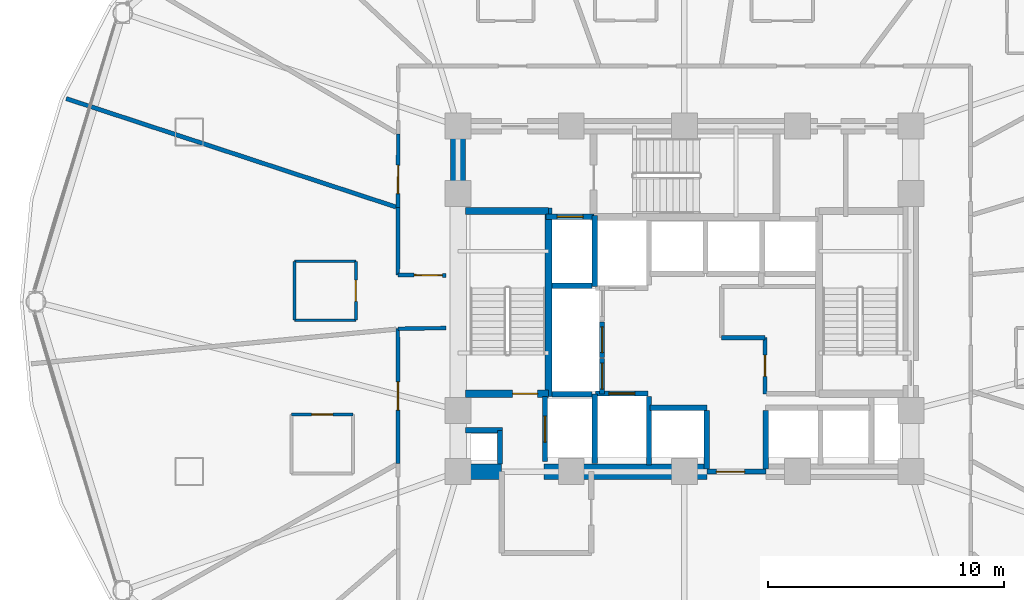
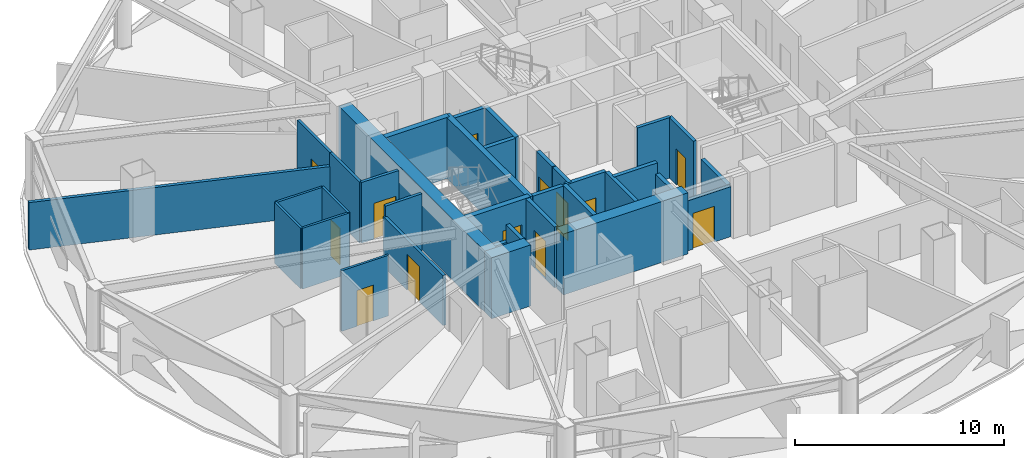
# One storey, part 22 of 30: 35 walls, 13 doors, 13 openings.
"""IFC4 building model written with IfcOpenShell, lengths in metres."""

from ifc_helpers import new_model, si_unit, direction, frame, frame_2d, origin, place, context, subcontext, project, spatial, rectangle, extrude, material, layer, layer_set, type_object, element, fill, save


model = new_model("IFC4")

# Units and contexts
model_context = context("Model", 3, precision=1e-05, world=origin(), true_north=direction((0.0, 1.0)))
body_context = subcontext(model_context, "Body", "Model", "MODEL_VIEW")
ifc_project = project(units=[si_unit("LENGTHUNIT", "METRE"), si_unit("AREAUNIT", "SQUARE_METRE"), si_unit("VOLUMEUNIT", "CUBIC_METRE"), si_unit("PLANEANGLEUNIT", "RADIAN"), si_unit("MASSUNIT", "GRAM", prefix="KILO")], contexts=[model_context])

# Site, building, storey
site_placement = place(None, origin())
site = spatial("IfcSite", under=ifc_project, at=site_placement, CompositionType="ELEMENT")
building_placement = place(site_placement, origin())
building = spatial("IfcBuilding", under=site, at=building_placement, Name="Vantalir Tower", CompositionType="ELEMENT")
storey_placement = place(building_placement, frame((0.0, 0.0, 83.25)))
storey = spatial("IfcBuildingStorey", under=building, at=storey_placement, Name="L20", CompositionType="ELEMENT", Elevation=83.25)

# Walls
ifc_material_1 = material(Name="Moisture-resistant en-suite partition", Category="gypsum")
ifc_layer_1 = layer(ifc_material_1, 0.125)
ifc_layer_set_1 = layer_set([ifc_layer_1], Name="Moisture-resistant en-suite partition")
wall_type_1 = type_object("IfcWallType", Name="WL-BATH-125", PredefinedType="PARTITIONING", material=ifc_layer_set_1)
for number, where, z_axis, x_axis, name in (
    (1, (14.964111328125, 24.218994140625, 0.0), (0.0, 0.0, 1.0), (1.0, 0.0, 0.0), "L20 En-suite 09 South Wall"),
    (2, (14.964111328125, 26.718994140625, 0.0), (0.0, 0.0, 1.0), (1.0, 0.0, 0.0), "L20 En-suite 09 North Wall"),
):
    element("IfcWall", number, at=place(storey_placement, frame(where, z_axis=z_axis, x_axis=x_axis)), inside=storey, type_object=wall_type_1, Name=name, PredefinedType="PARTITIONING", context=body_context, shape_type="SweptSolid", body=[
        extrude(rectangle(XDim=2.599853515625, YDim=0.125, at=frame_2d((1.2998046875, 0.0))), origin(), (0.0, 0.0, 1.0), 3.550048828125),
    ])
wall_1_placement = place(storey_placement, frame((14.964111328125, 24.218994140625, 0.0), z_axis=(0.0, 0.0, 1.0), x_axis=(0.0, 1.0, 0.0)))
element("IfcWall", 3, at=wall_1_placement, inside=storey, type_object=wall_type_1, Name="L20 En-suite 09 West Wall", PredefinedType="PARTITIONING", context=body_context, shape_type="SweptSolid", body=[
    extrude(rectangle(XDim=2.5, YDim=0.125, at=frame_2d((1.25, 0.0))), origin(), (0.0, 0.0, 1.0), 3.550048828125),
])

# Wall, opening, door
wall_2_placement = place(storey_placement, frame((17.56396484375, 24.218994140625, 0.0), z_axis=(0.0, 0.0, 1.0), x_axis=(0.0, 1.0, 0.0)))
wall_2 = element("IfcWall", 4, at=wall_2_placement, inside=storey, type_object=wall_type_1, Name="L20 En-suite 09 East Wall", PredefinedType="PARTITIONING", context=body_context, shape_type="SweptSolid", body=[
    extrude(rectangle(XDim=2.5, YDim=0.125, at=frame_2d((1.25, 0.0))), origin(), (0.0, 0.0, 1.0), 3.550048828125),
])
opening_1_placement = place(wall_2_placement, frame((0.800048828125, 0.0, 0.0)))
opening_1 = element("IfcOpeningElement", 5, at=opening_1_placement, cuts=wall_2, Name="Opening D-WC", PredefinedType="OPENING", context=body_context, shape_type="SweptSolid", body=[
    extrude(rectangle(XDim=0.89990234375, YDim=2.10009765625, at=frame_2d((0.449951171875, 1.050048828125))), frame((0.0, 0.072509765625, 0.0), z_axis=(0.0, -1.0, 0.0), x_axis=(1.0, 0.0, 0.0)), (0.0, 0.0, 1.0), 0.14501953125),
])
ifc_material_2 = material(Name="Moisture-resistant hardwood door", Category="wood")
door_type_1 = type_object("IfcDoorType", Name="DR-ENSUITE-900", OperationType="NOTDEFINED", PredefinedType="DOOR", material=ifc_material_2)
door_1_placement = place(opening_1_placement, origin())
door_1 = element("IfcDoor", 6, at=door_1_placement, inside=storey, type_object=door_type_1, Name="L20 En-suite 09 Door", OperationType="SINGLE_SWING_RIGHT", OverallHeight=2.10009765625, OverallWidth=0.89990234375, PredefinedType="DOOR", context=body_context, shape_type="SweptSolid", body=[
    extrude(rectangle(XDim=0.89990234375, YDim=2.10009765625, at=frame_2d((0.449951171875, 1.050048828125))), frame((0.0, 0.02490234375, 0.0), z_axis=(0.0, -1.0, 0.0), x_axis=(1.0, 0.0, 0.0)), (0.0, 0.0, 1.0), 0.050048828125),
])
fill(opening_1, door_1)

wall_3_placement = place(storey_placement, frame((14.837890625, 20.218994140625, 0.0), z_axis=(0.0, 0.0, 1.0), x_axis=(1.0, 0.0, 0.0)))
wall_3 = element("IfcWall", 7, at=wall_3_placement, inside=storey, type_object=wall_type_1, Name="L20 En-suite 10 North Wall", PredefinedType="PARTITIONING", context=body_context, shape_type="SweptSolid", body=[
    extrude(rectangle(XDim=2.60009765625, YDim=0.125, at=frame_2d((1.300048828125, 0.0))), origin(), (0.0, 0.0, 1.0), 3.550048828125),
])
opening_2_placement = place(wall_3_placement, frame((0.85009765625, 0.0, 0.0)))
opening_2 = element("IfcOpeningElement", 8, at=opening_2_placement, cuts=wall_3, Name="Opening D-WC", PredefinedType="OPENING", context=body_context, shape_type="SweptSolid", body=[
    extrude(rectangle(XDim=0.89990234375, YDim=2.10009765625, at=frame_2d((0.449951171875, 1.050048828125))), frame((0.0, 0.072509765625, 0.0), z_axis=(0.0, -1.0, 0.0), x_axis=(1.0, 0.0, 0.0)), (0.0, 0.0, 1.0), 0.14501953125),
])
door_2_placement = place(opening_2_placement, frame((0.89990234375, 0.0, 0.0), z_axis=(0.0, 0.0, 1.0), x_axis=(-1.0, 0.0, 0.0)))
door_2 = element("IfcDoor", 9, at=door_2_placement, inside=storey, type_object=door_type_1, Name="L20 En-suite 10 Door", OperationType="SINGLE_SWING_LEFT", OverallHeight=2.10009765625, OverallWidth=0.89990234375, PredefinedType="DOOR", context=body_context, shape_type="SweptSolid", body=[
    extrude(rectangle(XDim=0.89990234375, YDim=2.10009765625, at=frame_2d((0.449951171875, 1.050048828125))), frame((0.0, 0.02490234375, 0.0), z_axis=(0.0, -1.0, 0.0), x_axis=(1.0, 0.0, 0.0)), (0.0, 0.0, 1.0), 0.050048828125),
])
fill(opening_2, door_2)

# Walls
ifc_material_3 = material(Name="Concrete C60/75", Category="concrete")
ifc_layer_2 = layer(ifc_material_3, 0.64990234375)
ifc_layer_set_2 = layer_set([ifc_layer_2], Name="Concrete C60/75")
wall_type_2 = type_object("IfcWallType", Name="WL-CORE-650", PredefinedType="SHEAR", material=ifc_layer_set_2)
wall_4_placement = place(storey_placement, frame((21.574951171875, 17.800048828125, 0.0), z_axis=(0.0, 0.0, 1.0), x_axis=(1.0, 0.0, 0.0)))
element("IfcWall", 10, at=wall_4_placement, inside=storey, type_object=wall_type_2, Name="L20 Core Shear Wall South-West", PredefinedType="SHEAR", context=body_context, shape_type="SweptSolid", body=[
    extrude(rectangle(XDim=2.175048828125, YDim=0.64990234375, at=frame_2d((1.08740234375, 0.0))), origin(), (0.0, 0.0, 1.0), 3.570068359375),
])
wall_5_placement = place(storey_placement, frame((25.550048828125, 17.800048828125, 0.0), z_axis=(0.0, 0.0, 1.0), x_axis=(1.0, 0.0, 0.0)))
element("IfcWall", 11, at=wall_5_placement, inside=storey, type_object=wall_type_2, Name="L20 Core Shear Wall South-Mid", PredefinedType="SHEAR", context=body_context, shape_type="SweptSolid", body=[
    extrude(rectangle(XDim=6.89990234375, YDim=0.64990234375, at=frame_2d((3.449951171875, 0.0))), origin(), (0.0, 0.0, 1.0), 3.570068359375),
])
wall_6_placement = place(storey_placement, frame((21.89990234375, 18.125, 0.0), z_axis=(0.0, 0.0, 1.0), x_axis=(0.0, 1.0, 0.0)))
element("IfcWall", 12, at=wall_6_placement, inside=storey, type_object=wall_type_2, Name="L20 Core Shear Wall West", PredefinedType="SHEAR", context=body_context, shape_type="SweptSolid", body=[
    extrude(rectangle(XDim=14.0, YDim=0.64990234375, at=frame_2d((7.0, 0.0))), origin(), (0.0, 0.0, 1.0), 3.570068359375),
])

# Wall, opening, door
ifc_material_4 = material(Name="Fire-rated hotel corridor acoustic partition", Category="gypsum")
ifc_layer_3 = layer(ifc_material_4, 0.159912109375)
ifc_layer_set_3 = layer_set([ifc_layer_3], Name="Fire-rated hotel corridor acoustic partition")
wall_type_3 = type_object("IfcWallType", Name="WL-CORR-160", PredefinedType="PARTITIONING", material=ifc_layer_set_3)
wall_7_placement = place(storey_placement, frame((21.39501953125, 26.117919921875, 0.0), z_axis=(0.0, 0.0, 1.0), x_axis=(-0.999930307049, 0.011805975003, 0.0)))
wall_7 = element("IfcWall", 13, at=wall_7_placement, inside=storey, type_object=wall_type_3, Name="L20 Corridor Partition 01", PredefinedType="PARTITIONING", context=body_context, shape_type="SweptSolid", body=[
    extrude(rectangle(XDim=2.04736328125, YDim=0.159912109375, at=frame_2d((1.023681640625, 0.0))), origin(), (0.0, 0.0, 1.0), 3.550048828125),
])
opening_3_placement = place(wall_7_placement, frame((0.159912109375, 0.0, 0.0)))
opening_3 = element("IfcOpeningElement", 14, at=opening_3_placement, cuts=wall_7, Name="Opening D-STE", PredefinedType="OPENING", context=body_context, shape_type="SweptSolid", body=[
    extrude(rectangle(XDim=1.199951171875, YDim=2.10009765625, at=frame_2d((0.60009765625, 1.050048828125))), frame((0.0, 0.08984375, 0.0), z_axis=(0.0, -1.0, 0.0), x_axis=(1.0, 0.0, 0.0)), (0.0, 0.0, 1.0), 0.179931640625),
])
ifc_material_5 = material(Name="Solid-core teak veneer suite entrance door", Category="wood")
door_type_2 = type_object("IfcDoorType", Name="DR-SUITE-ENTRY-1200", OperationType="NOTDEFINED", PredefinedType="DOOR", material=ifc_material_5)
door_3_placement = place(opening_3_placement, origin())
door_3 = element("IfcDoor", 15, at=door_3_placement, inside=storey, type_object=door_type_2, Name="L20 Corner Panorama Hotel Suite 09 Door", OperationType="SINGLE_SWING_RIGHT", OverallHeight=2.10009765625, OverallWidth=1.199951171875, PredefinedType="DOOR", context=body_context, shape_type="SweptSolid", body=[
    extrude(rectangle(XDim=1.199951171875, YDim=2.10009765625, at=frame_2d((0.60009765625, 1.050048828125))), frame((0.0, 0.02490234375, 0.0), z_axis=(0.0, -1.0, 0.0), x_axis=(1.0, 0.0, 0.0)), (0.0, 0.0, 1.0), 0.050048828125),
])
fill(opening_3, door_3)

# Wall
wall_8_placement = place(storey_placement, frame((19.347900390625, 26.14208984375, 0.0), z_axis=(0.0, 0.0, 1.0), x_axis=(0.002483506942, 0.999996916092, 0.0)))
element("IfcWall", 16, at=wall_8_placement, inside=storey, type_object=wall_type_3, Name="L20 Corridor Partition 02", PredefinedType="PARTITIONING", context=body_context, shape_type="SweptSolid", body=[
    extrude(rectangle(XDim=2.850830078125, YDim=0.159912109375, at=frame_2d((1.42529296875, 0.0))), origin(), (0.0, 0.0, 1.0), 3.550048828125),
])

# Wall, opening, door
wall_9_placement = place(storey_placement, frame((19.35498046875, 28.992919921875, 0.0), z_axis=(0.0, 0.0, 1.0), x_axis=(0.002264911404, 0.999997435085, 0.0)))
wall_9 = element("IfcWall", 17, at=wall_9_placement, inside=storey, type_object=wall_type_3, Name="L20 Corridor Partition 03", PredefinedType="PARTITIONING", context=body_context, shape_type="SweptSolid", body=[
    extrude(rectangle(XDim=3.1259765625, YDim=0.159912109375, at=frame_2d((1.56298828125, 0.0))), origin(), (0.0, 0.0, 1.0), 3.550048828125),
])
opening_4_placement = place(wall_9_placement, frame((0.597900390625, 0.0, 0.0)))
opening_4 = element("IfcOpeningElement", 18, at=opening_4_placement, cuts=wall_9, Name="Opening D-STE", PredefinedType="OPENING", context=body_context, shape_type="SweptSolid", body=[
    extrude(rectangle(XDim=1.199951171875, YDim=2.10009765625, at=frame_2d((0.60009765625, 1.050048828125))), frame((0.0, 0.08984375, 0.0), z_axis=(0.0, -1.0, 0.0), x_axis=(1.0, 0.0, 0.0)), (0.0, 0.0, 1.0), 0.179931640625),
])
door_4_placement = place(opening_4_placement, origin())
door_4 = element("IfcDoor", 19, at=door_4_placement, inside=storey, type_object=door_type_2, Name="L20 Executive Sky Boardroom 08 Door", OperationType="SINGLE_SWING_LEFT", OverallHeight=2.10009765625, OverallWidth=1.199951171875, PredefinedType="DOOR", context=body_context, shape_type="SweptSolid", body=[
    extrude(rectangle(XDim=1.199951171875, YDim=2.10009765625, at=frame_2d((0.60009765625, 1.050048828125))), frame((0.0, 0.02490234375, 0.0), z_axis=(0.0, -1.0, 0.0), x_axis=(1.0, 0.0, 0.0)), (0.0, 0.0, 1.0), 0.050048828125),
])
fill(opening_4, door_4)

wall_10_placement = place(storey_placement, frame((19.35791015625, 18.14697265625, 0.0), z_axis=(0.0, 0.0, 1.0), x_axis=(-0.001752733286, 0.999998463962, 0.0)))
wall_10 = element("IfcWall", 20, at=wall_10_placement, inside=storey, type_object=wall_type_3, Name="L20 Corridor Partition 24", PredefinedType="PARTITIONING", context=body_context, shape_type="SweptSolid", body=[
    extrude(rectangle(XDim=5.7109375, YDim=0.159912109375, at=frame_2d((2.85546875, 0.0))), origin(), (0.0, 0.0, 1.0), 2.927978515625),
])
opening_5_placement = place(wall_10_placement, frame((2.256103515625, 0.0, 0.0)))
opening_5 = element("IfcOpeningElement", 21, at=opening_5_placement, cuts=wall_10, Name="Opening D-STE", PredefinedType="OPENING", context=body_context, shape_type="SweptSolid", body=[
    extrude(rectangle(XDim=1.199951171875, YDim=2.10009765625, at=frame_2d((0.60009765625, 1.050048828125))), frame((0.0, 0.08984375, 0.0), z_axis=(0.0, -1.0, 0.0), x_axis=(1.0, 0.0, 0.0)), (0.0, 0.0, 1.0), 0.179931640625),
])
door_5_placement = place(opening_5_placement, origin())
door_5 = element("IfcDoor", 22, at=door_5_placement, inside=storey, type_object=door_type_2, Name="L20 Executive Club Hotel Suite 10 Door", OperationType="SINGLE_SWING_LEFT", OverallHeight=2.10009765625, OverallWidth=1.199951171875, PredefinedType="DOOR", context=body_context, shape_type="SweptSolid", body=[
    extrude(rectangle(XDim=1.199951171875, YDim=2.10009765625, at=frame_2d((0.60009765625, 1.050048828125))), frame((0.0, 0.02490234375, 0.0), z_axis=(0.0, -1.0, 0.0), x_axis=(1.0, 0.0, 0.0)), (0.0, 0.0, 1.0), 0.050048828125),
])
fill(opening_5, door_5)

# Walls
wall_11_placement = place(storey_placement, frame((19.347900390625, 23.85791015625, 0.0), z_axis=(0.0, 0.0, 1.0), x_axis=(0.999899308643, 0.014190580528, 0.0)))
element("IfcWall", 23, at=wall_11_placement, inside=storey, type_object=wall_type_3, Name="L20 Corridor Partition 25", PredefinedType="PARTITIONING", context=body_context, shape_type="SweptSolid", body=[
    extrude(rectangle(XDim=2.04736328125, YDim=0.159912109375, at=frame_2d((1.023681640625, 0.0))), origin(), (0.0, 0.0, 1.0), 3.550048828125),
])
ifc_material_6 = material(Name="Concrete blockwork with fireboard lining", Category="masonry")
ifc_layer_4 = layer(ifc_material_6, 0.219970703125)
ifc_layer_set_4 = layer_set([ifc_layer_4], Name="Concrete blockwork with fireboard lining")
wall_type_4 = type_object("IfcWallType", Name="WL-FFL-220", PredefinedType="PARTITIONING", material=ifc_layer_set_4)
wall_12_placement = place(storey_placement, frame((30.0, 18.080078125, 0.0), z_axis=(0.0, 0.0, 1.0), x_axis=(0.0, 1.0, 0.0)))
element("IfcWall", 24, at=wall_12_placement, inside=storey, type_object=wall_type_4, Name="L20 Service Lift SV1 East Shaft Wall", PredefinedType="PARTITIONING", context=body_context, shape_type="SweptSolid", body=[
    extrude(rectangle(XDim=2.89990234375, YDim=0.219970703125, at=frame_2d((1.449951171875, 0.0))), origin(), (0.0, 0.0, 1.0), 3.544921875),
])
for number, where, z_axis, x_axis, name in (
    (25, (32.449951171875, 17.919921875, 0.0), (0.0, 0.0, 1.0), (0.0, 1.0, 0.0), "L20 Shuttle Lift PL-X1 East Shaft Cheek"),
    (26, (34.949951171875, 17.919921875, 0.0), (0.0, 0.0, 1.0), (0.0, 1.0, 0.0), "L20 Shuttle Lift PL-X3 West Shaft Cheek"),
):
    element("IfcWall", number, at=place(storey_placement, frame(where, z_axis=z_axis, x_axis=x_axis)), inside=storey, type_object=wall_type_4, Name=name, PredefinedType="PARTITIONING", context=body_context, shape_type="SweptSolid", body=[
        extrude(rectangle(XDim=2.469970703125, YDim=0.219970703125, at=frame_2d((1.23486328125, 0.0))), origin(), (0.0, 0.0, 1.0), 2.927978515625),
    ])

# Wall, opening, door
wall_13_placement = place(storey_placement, frame((32.449951171875, 17.800048828125, 0.0), z_axis=(0.0, 0.0, 1.0), x_axis=(1.0, 0.0, 0.0)))
wall_13 = element("IfcWall", 27, at=wall_13_placement, inside=storey, type_object=wall_type_4, Name="L20 Passenger Lift Lobby South Wall", PredefinedType="PARTITIONING", context=body_context, shape_type="SweptSolid", body=[
    extrude(rectangle(XDim=2.5, YDim=0.219970703125, at=frame_2d((1.25, 0.0))), origin(), (0.0, 0.0, 1.0), 2.927978515625),
])
opening_6_placement = place(wall_13_placement, frame((0.39990234375, 0.0, 0.0)))
opening_6 = element("IfcOpeningElement", 28, at=opening_6_placement, cuts=wall_13, Name="Opening D-STE", PredefinedType="OPENING", context=body_context, shape_type="SweptSolid", body=[
    extrude(rectangle(XDim=1.199951171875, YDim=2.10009765625, at=frame_2d((0.60009765625, 1.050048828125))), frame((0.0, 0.119873046875, 0.0), z_axis=(0.0, -1.0, 0.0), x_axis=(1.0, 0.0, 0.0)), (0.0, 0.0, 1.0), 0.239990234375),
])
door_6_placement = place(opening_6_placement, origin())
door_6 = element("IfcDoor", 29, at=door_6_placement, inside=storey, type_object=door_type_2, Name="L20 Passenger Lift Lobby Concourse Door", OperationType="SINGLE_SWING_LEFT", OverallHeight=2.10009765625, OverallWidth=1.199951171875, PredefinedType="DOOR", context=body_context, shape_type="SweptSolid", body=[
    extrude(rectangle(XDim=1.199951171875, YDim=2.10009765625, at=frame_2d((0.60009765625, 1.050048828125))), frame((0.0, 0.02490234375, 0.0), z_axis=(0.0, -1.0, 0.0), x_axis=(1.0, 0.0, 0.0)), (0.0, 0.0, 1.0), 0.050048828125),
])
fill(opening_6, door_6)

# Walls
wall_14_placement = place(storey_placement, frame((23.679931640625, 18.125, 0.0), z_axis=(0.0, 0.0, 1.0), x_axis=(0.0, 1.0, 0.0)))
element("IfcWall", 30, at=wall_14_placement, inside=storey, type_object=wall_type_4, Name="L20 West MEP Riser Wall E", PredefinedType="PARTITIONING", context=body_context, shape_type="SweptSolid", body=[
    extrude(rectangle(XDim=1.425048828125, YDim=0.219970703125, at=frame_2d((0.71240234375, 0.0))), origin(), (0.0, 0.0, 1.0), 3.550048828125),
])
wall_15_placement = place(storey_placement, frame((22.22509765625, 19.550048828125, 0.0), z_axis=(0.0, 0.0, 1.0), x_axis=(1.0, 0.0, 0.0)))
element("IfcWall", 31, at=wall_15_placement, inside=storey, type_object=wall_type_4, Name="L20 West MEP Riser Wall N", PredefinedType="PARTITIONING", context=body_context, shape_type="SweptSolid", body=[
    extrude(rectangle(XDim=1.56494140625, YDim=0.219970703125, at=frame_2d((0.782470703125, 0.0))), origin(), (0.0, 0.0, 1.0), 2.594970703125),
])

# Wall, opening, door
wall_16_placement = place(storey_placement, frame((25.590087890625, 18.219970703125, 0.0), z_axis=(0.0, 0.0, 1.0), x_axis=(0.0, 1.0, 0.0)))
wall_16 = element("IfcWall", 32, at=wall_16_placement, inside=storey, type_object=wall_type_4, Name="L20 Lift FL1 Shaft Front Wall", PredefinedType="PARTITIONING", context=body_context, shape_type="SweptSolid", body=[
    extrude(rectangle(XDim=2.760009765625, YDim=0.219970703125, at=frame_2d((1.3798828125, 0.0))), origin(), (0.0, 0.0, 1.0), 3.550048828125),
])
opening_7_placement = place(wall_16_placement, frame((0.830078125, 0.0, 0.0)))
opening_7 = element("IfcOpeningElement", 33, at=opening_7_placement, cuts=wall_16, Name="Opening LD-FL1", PredefinedType="OPENING", context=body_context, shape_type="SweptSolid", body=[
    extrude(rectangle(XDim=1.10009765625, YDim=2.199951171875, at=frame_2d((0.550048828125, 1.10009765625))), frame((0.0, 0.119873046875, 0.0), z_axis=(0.0, -1.0, 0.0), x_axis=(1.0, 0.0, 0.0)), (0.0, 0.0, 1.0), 0.239990234375),
])
ifc_material_7 = material(Name="Brushed stainless-steel sliding lift landing door", Category="steel")
door_type_3 = type_object("IfcDoorType", Name="DR-LIFT-LANDING-1100", OperationType="DOUBLE_DOOR_SLIDING", PredefinedType="DOOR", material=ifc_material_7)
door_7_placement = place(opening_7_placement, origin())
door_7 = element("IfcDoor", 34, at=door_7_placement, inside=storey, type_object=door_type_3, Name="L20 Lift Landing Door FL1", OperationType="DOUBLE_DOOR_SLIDING", OverallHeight=2.199951171875, OverallWidth=1.10009765625, PredefinedType="DOOR", context=body_context, shape_type="SweptSolid", body=[
    extrude(rectangle(XDim=1.10009765625, YDim=2.199951171875, at=frame_2d((0.550048828125, 1.10009765625))), frame((0.0, 0.02490234375, 0.0), z_axis=(0.0, -1.0, 0.0), x_axis=(1.0, 0.0, 0.0)), (0.0, 0.0, 1.0), 0.050048828125),
])
fill(opening_7, door_7)

wall_17_placement = place(storey_placement, frame((25.639892578125, 28.610107421875, 0.0), z_axis=(0.0, 0.0, 1.0), x_axis=(1.0, 0.0, 0.0)))
wall_17 = element("IfcWall", 35, at=wall_17_placement, inside=storey, type_object=wall_type_4, Name="L20 Lift FL2 Shaft Front Wall", PredefinedType="PARTITIONING", context=body_context, shape_type="SweptSolid", body=[
    extrude(rectangle(XDim=2.02001953125, YDim=0.219970703125, at=frame_2d((1.010009765625, 0.0))), origin(), (0.0, 0.0, 1.0), 3.550048828125),
])
opening_8_placement = place(wall_17_placement, frame((0.4599609375, 0.0, 0.0)))
opening_8 = element("IfcOpeningElement", 36, at=opening_8_placement, cuts=wall_17, Name="Opening LD-FL2", PredefinedType="OPENING", context=body_context, shape_type="SweptSolid", body=[
    extrude(rectangle(XDim=1.10009765625, YDim=2.199951171875, at=frame_2d((0.550048828125, 1.10009765625))), frame((0.0, 0.119873046875, 0.0), z_axis=(0.0, -1.0, 0.0), x_axis=(1.0, 0.0, 0.0)), (0.0, 0.0, 1.0), 0.239990234375),
])
door_8_placement = place(opening_8_placement, origin())
door_8 = element("IfcDoor", 37, at=door_8_placement, inside=storey, type_object=door_type_3, Name="L20 Lift Landing Door FL2", OperationType="DOUBLE_DOOR_SLIDING", OverallHeight=2.199951171875, OverallWidth=1.10009765625, PredefinedType="DOOR", context=body_context, shape_type="SweptSolid", body=[
    extrude(rectangle(XDim=1.10009765625, YDim=2.199951171875, at=frame_2d((0.550048828125, 1.10009765625))), frame((0.0, 0.02490234375, 0.0), z_axis=(0.0, -1.0, 0.0), x_axis=(1.0, 0.0, 0.0)), (0.0, 0.0, 1.0), 0.050048828125),
])
fill(opening_8, door_8)

wall_18_placement = place(storey_placement, frame((27.739990234375, 21.110107421875, 0.0), z_axis=(0.0, 0.0, 1.0), x_axis=(1.0, 0.0, 0.0)))
wall_18 = element("IfcWall", 38, at=wall_18_placement, inside=storey, type_object=wall_type_4, Name="L20 Lift SV1 Shaft Front Wall", PredefinedType="PARTITIONING", context=body_context, shape_type="SweptSolid", body=[
    extrude(rectangle(XDim=2.219970703125, YDim=0.219970703125, at=frame_2d((1.10986328125, 0.0))), origin(), (0.0, 0.0, 1.0), 3.550048828125),
])
opening_9_placement = place(wall_18_placement, frame((0.56005859375, 0.0, 0.0)))
opening_9 = element("IfcOpeningElement", 39, at=opening_9_placement, cuts=wall_18, Name="Opening LD-SV1", PredefinedType="OPENING", context=body_context, shape_type="SweptSolid", body=[
    extrude(rectangle(XDim=1.10009765625, YDim=2.199951171875, at=frame_2d((0.550048828125, 1.10009765625))), frame((0.0, 0.119873046875, 0.0), z_axis=(0.0, -1.0, 0.0), x_axis=(1.0, 0.0, 0.0)), (0.0, 0.0, 1.0), 0.239990234375),
])
door_9_placement = place(opening_9_placement, origin())
door_9 = element("IfcDoor", 40, at=door_9_placement, inside=storey, type_object=door_type_3, Name="L20 Lift Landing Door SV1", OperationType="DOUBLE_DOOR_SLIDING", OverallHeight=2.199951171875, OverallWidth=1.10009765625, PredefinedType="DOOR", context=body_context, shape_type="SweptSolid", body=[
    extrude(rectangle(XDim=1.10009765625, YDim=2.199951171875, at=frame_2d((0.550048828125, 1.10009765625))), frame((0.0, 0.02490234375, 0.0), z_axis=(0.0, -1.0, 0.0), x_axis=(1.0, 0.0, 0.0)), (0.0, 0.0, 1.0), 0.050048828125),
])
fill(opening_9, door_9)

# Wall
wall_19_placement = place(storey_placement, frame((30.0400390625, 20.510009765625, 0.0), z_axis=(0.0, 0.0, 1.0), x_axis=(1.0, 0.0, 0.0)))
element("IfcWall", 41, at=wall_19_placement, inside=storey, type_object=wall_type_4, Name="L20 Lift PL-X1 Shaft Front Wall", PredefinedType="PARTITIONING", context=body_context, shape_type="SweptSolid", body=[
    extrude(rectangle(XDim=2.419921875, YDim=0.219970703125, at=frame_2d((1.2099609375, 0.0))), origin(), (0.0, 0.0, 1.0), 3.550048828125),
])

# Wall, opening, door
wall_20_placement = place(storey_placement, frame((28.010009765625, 21.10009765625, 0.0), z_axis=(0.0, 0.0, 1.0), x_axis=(0.0, 1.0, 0.0)))
wall_20 = element("IfcWall", 42, at=wall_20_placement, inside=storey, type_object=wall_type_4, Name="L20 Lift PL-L1 Shaft Front Wall", PredefinedType="PARTITIONING", context=body_context, shape_type="SweptSolid", body=[
    extrude(rectangle(XDim=1.5, YDim=0.219970703125, at=frame_2d((0.75, 0.0))), origin(), (0.0, 0.0, 1.0), 3.550048828125),
])
opening_10_placement = place(wall_20_placement, frame((0.199951171875, 0.0, 0.0)))
opening_10 = element("IfcOpeningElement", 43, at=opening_10_placement, cuts=wall_20, Name="Opening LD-PL-L1", PredefinedType="OPENING", context=body_context, shape_type="SweptSolid", body=[
    extrude(rectangle(XDim=1.10009765625, YDim=2.199951171875, at=frame_2d((0.550048828125, 1.10009765625))), frame((0.0, 0.119873046875, 0.0), z_axis=(0.0, -1.0, 0.0), x_axis=(1.0, 0.0, 0.0)), (0.0, 0.0, 1.0), 0.239990234375),
])
door_10_placement = place(opening_10_placement, frame((1.10009765625, 0.0, 0.0), z_axis=(0.0, 0.0, 1.0), x_axis=(-1.0, 0.0, 0.0)))
door_10 = element("IfcDoor", 44, at=door_10_placement, inside=storey, type_object=door_type_3, Name="L20 Lift Landing Door PL-L1", OperationType="DOUBLE_DOOR_SLIDING", OverallHeight=2.199951171875, OverallWidth=1.10009765625, PredefinedType="DOOR", context=body_context, shape_type="SweptSolid", body=[
    extrude(rectangle(XDim=1.10009765625, YDim=2.199951171875, at=frame_2d((0.550048828125, 1.10009765625))), frame((0.0, 0.02490234375, 0.0), z_axis=(0.0, -1.0, 0.0), x_axis=(1.0, 0.0, 0.0)), (0.0, 0.0, 1.0), 0.050048828125),
])
fill(opening_10, door_10)

wall_21_placement = place(storey_placement, frame((28.010009765625, 22.639892578125, 0.0), z_axis=(0.0, 0.0, 1.0), x_axis=(0.0, 1.0, 0.0)))
wall_21 = element("IfcWall", 45, at=wall_21_placement, inside=storey, type_object=wall_type_4, Name="L20 Lift PL-L2 Shaft Front Wall", PredefinedType="PARTITIONING", context=body_context, shape_type="SweptSolid", body=[
    extrude(rectangle(XDim=1.5, YDim=0.219970703125, at=frame_2d((0.75, 0.0))), origin(), (0.0, 0.0, 1.0), 3.550048828125),
])
opening_11_placement = place(wall_21_placement, frame((0.199951171875, 0.0, 0.0)))
opening_11 = element("IfcOpeningElement", 46, at=opening_11_placement, cuts=wall_21, Name="Opening LD-PL-L2", PredefinedType="OPENING", context=body_context, shape_type="SweptSolid", body=[
    extrude(rectangle(XDim=1.10009765625, YDim=2.199951171875, at=frame_2d((0.550048828125, 1.10009765625))), frame((0.0, 0.119873046875, 0.0), z_axis=(0.0, -1.0, 0.0), x_axis=(1.0, 0.0, 0.0)), (0.0, 0.0, 1.0), 0.239990234375),
])
door_11_placement = place(opening_11_placement, frame((1.10009765625, 0.0, 0.0), z_axis=(0.0, 0.0, 1.0), x_axis=(-1.0, 0.0, 0.0)))
door_11 = element("IfcDoor", 47, at=door_11_placement, inside=storey, type_object=door_type_3, Name="L20 Lift Landing Door PL-L2", OperationType="DOUBLE_DOOR_SLIDING", OverallHeight=2.199951171875, OverallWidth=1.10009765625, PredefinedType="DOOR", context=body_context, shape_type="SweptSolid", body=[
    extrude(rectangle(XDim=1.10009765625, YDim=2.199951171875, at=frame_2d((0.550048828125, 1.10009765625))), frame((0.0, 0.02490234375, 0.0), z_axis=(0.0, -1.0, 0.0), x_axis=(1.0, 0.0, 0.0)), (0.0, 0.0, 1.0), 0.050048828125),
])
fill(opening_11, door_11)

# Walls
wall_22_placement = place(storey_placement, frame((27.699951171875, 18.14990234375, 0.0), z_axis=(0.0, 0.0, 1.0), x_axis=(0.0, 1.0, 0.0)))
element("IfcWall", 48, at=wall_22_placement, inside=storey, type_object=wall_type_4, Name="L20 Fire Lift FL1 Dividing Wall", PredefinedType="PARTITIONING", context=body_context, shape_type="SweptSolid", body=[
    extrude(rectangle(XDim=2.9501953125, YDim=0.219970703125, at=frame_2d((1.47509765625, 0.0))), origin(), (0.0, 0.0, 1.0), 3.550048828125),
])
wall_23_placement = place(storey_placement, frame((27.699951171875, 25.64990234375, 0.0), z_axis=(0.0, 0.0, 1.0), x_axis=(0.0, 1.0, 0.0)))
element("IfcWall", 49, at=wall_23_placement, inside=storey, type_object=wall_type_4, Name="L20 Fire Lift FL2 Dividing Wall", PredefinedType="PARTITIONING", context=body_context, shape_type="SweptSolid", body=[
    extrude(rectangle(XDim=3.0, YDim=0.219970703125, at=frame_2d((1.5, 0.0))), origin(), (0.0, 0.0, 1.0), 3.550048828125),
])
for number, where, z_axis, x_axis, name in (
    (50, (25.8798828125, 21.080078125, 0.0), (0.0, 0.0, 1.0), (1.0, 0.0, 0.0), "L20 Low-Rise Bank South Wall"),
    (51, (25.8798828125, 25.679931640625, 0.0), (0.0, 0.0, 1.0), (1.0, 0.0, 0.0), "L20 Low-Rise Bank North Wall"),
):
    element("IfcWall", number, at=place(storey_placement, frame(where, z_axis=z_axis, x_axis=x_axis)), inside=storey, type_object=wall_type_4, Name=name, PredefinedType="PARTITIONING", context=body_context, shape_type="SweptSolid", body=[
        extrude(rectangle(XDim=1.7001953125, YDim=0.219970703125, at=frame_2d((0.85009765625, 0.0))), origin(), (0.0, 0.0, 1.0), 3.550048828125),
    ])
ifc_material_8 = material(Name="Twin-stud acoustic fire-rated gypsum partition", Category="gypsum")
ifc_layer_5 = layer(ifc_material_8, 0.179931640625)
ifc_layer_set_5 = layer_set([ifc_layer_5], Name="Twin-stud acoustic fire-rated gypsum partition")
wall_type_5 = type_object("IfcWallType", Name="WL-GUEST-180", PredefinedType="PARTITIONING", material=ifc_layer_set_5)
wall_24_placement = place(storey_placement, frame((33.080078125, 23.47998046875, 0.0), z_axis=(0.0, 0.0, 1.0), x_axis=(1.0, 0.0, 0.0)))
element("IfcWall", 52, at=wall_24_placement, inside=storey, type_object=wall_type_5, Name="L20 East Core Alcove South Wall", PredefinedType="PARTITIONING", context=body_context, shape_type="SweptSolid", body=[
    extrude(rectangle(XDim=1.83984375, YDim=0.179931640625, at=frame_2d((0.919921875, 0.0))), origin(), (0.0, 0.0, 1.0), 3.550048828125),
])

# Wall, opening, door
wall_25_placement = place(storey_placement, frame((34.919921875, 21.10009765625, 0.0), z_axis=(0.0, 0.0, 1.0), x_axis=(0.0, 1.0, 0.0)))
wall_25 = element("IfcWall", 53, at=wall_25_placement, inside=storey, type_object=wall_type_5, Name="L20 East Core Lower West Wall", PredefinedType="PARTITIONING", context=body_context, shape_type="SweptSolid", body=[
    extrude(rectangle(XDim=2.3798828125, YDim=0.179931640625, at=frame_2d((1.18994140625, 0.0))), origin(), (0.0, 0.0, 1.0), 3.550048828125),
])
opening_12_placement = place(wall_25_placement, frame((0.739990234375, 0.0, 0.0)))
opening_12 = element("IfcOpeningElement", 54, at=opening_12_placement, cuts=wall_25, Name="Opening D-CR", PredefinedType="OPENING", context=body_context, shape_type="SweptSolid", body=[
    extrude(rectangle(XDim=0.89990234375, YDim=2.10009765625, at=frame_2d((0.449951171875, 1.050048828125))), frame((0.0, 0.099853515625, 0.0), z_axis=(0.0, -1.0, 0.0), x_axis=(1.0, 0.0, 0.0)), (0.0, 0.0, 1.0), 0.199951171875),
])
ifc_material_9 = material(Name="Fire-rated steel core service door", Category="steel")
door_type_4 = type_object("IfcDoorType", Name="DR-CORE-SERV-900", OperationType="NOTDEFINED", PredefinedType="DOOR", material=ifc_material_9)
door_12_placement = place(opening_12_placement, frame((0.89990234375, 0.0, 0.0), z_axis=(0.0, 0.0, 1.0), x_axis=(-1.0, 0.0, 0.0)))
door_12 = element("IfcDoor", 55, at=door_12_placement, inside=storey, type_object=door_type_4, Name="L20 Core Telecoms Door", OperationType="SINGLE_SWING_LEFT", OverallHeight=2.10009765625, OverallWidth=0.89990234375, PredefinedType="DOOR", context=body_context, shape_type="SweptSolid", body=[
    extrude(rectangle(XDim=0.89990234375, YDim=2.10009765625, at=frame_2d((0.449951171875, 1.050048828125))), frame((0.0, 0.02490234375, 0.0), z_axis=(0.0, -1.0, 0.0), x_axis=(1.0, 0.0, 0.0)), (0.0, 0.0, 1.0), 0.050048828125),
])
fill(opening_12, door_12)

# Wall
wall_26_placement = place(storey_placement, frame((19.27197265625, 29.02001953125, 0.0), z_axis=(0.0, 0.0, 1.0), x_axis=(-0.949981656655, 0.312305702829, 0.0)))
element("IfcWall", 56, at=wall_26_placement, inside=storey, type_object=wall_type_5, Name="L20 Radial Suite Partition 09", PredefinedType="PARTITIONING", context=body_context, shape_type="SweptSolid", body=[
    extrude(rectangle(XDim=14.7255859375, YDim=0.179931640625, at=frame_2d((7.36279296875, 0.0))), origin(), (0.0, 0.0, 1.0), 2.77490234375),
])

# Wall, opening, door
ifc_material_10 = material(Name="Concrete C50/60", Category="concrete")
ifc_layer_6 = layer(ifc_material_10, 0.300048828125)
ifc_layer_set_6 = layer_set([ifc_layer_6], Name="Concrete C50/60")
wall_type_6 = type_object("IfcWallType", Name="WL-STAIR-300", PredefinedType="SHEAR", material=ifc_layer_set_6)
wall_27_placement = place(storey_placement, frame((22.22509765625, 21.10009765625, 0.0), z_axis=(0.0, 0.0, 1.0), x_axis=(1.0, 0.0, 0.0)))
wall_27 = element("IfcWall", 57, at=wall_27_placement, inside=storey, type_object=wall_type_6, Name="L20 Stair ST1 South Wall", PredefinedType="SHEAR", context=body_context, shape_type="SweptSolid", body=[
    extrude(rectangle(XDim=3.514892578125, YDim=0.300048828125, at=frame_2d((1.75732421875, 0.0))), origin(), (0.0, 0.0, 1.0), 3.570068359375),
])
opening_13_placement = place(wall_27_placement, frame((1.9951171875, 0.0, 0.0)))
opening_13 = element("IfcOpeningElement", 58, at=opening_13_placement, cuts=wall_27, Name="Opening D-ST", PredefinedType="OPENING", context=body_context, shape_type="SweptSolid", body=[
    extrude(rectangle(XDim=1.050048828125, YDim=2.10009765625, at=frame_2d((0.52490234375, 1.050048828125))), frame((0.0, 0.159912109375, 0.0), z_axis=(0.0, -1.0, 0.0), x_axis=(1.0, 0.0, 0.0)), (0.0, 0.0, 1.0), 0.320068359375),
])
ifc_material_11 = material(Name="Fire-rated steel door leaf", Category="steel")
door_type_5 = type_object("IfcDoorType", Name="DR-FIRE-STAIR-1050", OperationType="NOTDEFINED", PredefinedType="DOOR", material=ifc_material_11)
door_13_placement = place(opening_13_placement, origin())
door_13 = element("IfcDoor", 59, at=door_13_placement, inside=storey, type_object=door_type_5, Name="L20 Exit Stair ST1 Fire Door", OperationType="SINGLE_SWING_LEFT", OverallHeight=2.10009765625, OverallWidth=1.050048828125, PredefinedType="DOOR", context=body_context, shape_type="SweptSolid", body=[
    extrude(rectangle(XDim=1.050048828125, YDim=2.10009765625, at=frame_2d((0.52490234375, 1.050048828125))), frame((0.0, 0.02490234375, 0.0), z_axis=(0.0, -1.0, 0.0), x_axis=(1.0, 0.0, 0.0)), (0.0, 0.0, 1.0), 0.050048828125),
])
fill(opening_13, door_13)

# Walls
wall_28_placement = place(storey_placement, frame((22.22509765625, 28.85009765625, 0.0), z_axis=(0.0, 0.0, 1.0), x_axis=(1.0, 0.0, 0.0)))
element("IfcWall", 60, at=wall_28_placement, inside=storey, type_object=wall_type_6, Name="L20 Stair ST1 North Wall", PredefinedType="SHEAR", context=body_context, shape_type="SweptSolid", body=[
    extrude(rectangle(XDim=3.514892578125, YDim=0.300048828125, at=frame_2d((1.75732421875, 0.0))), origin(), (0.0, 0.0, 1.0), 3.570068359375),
])
wall_29_placement = place(storey_placement, frame((25.739990234375, 20.97998046875, 0.0), z_axis=(0.0, 0.0, 1.0), x_axis=(0.0, 1.0, 0.0)))
element("IfcWall", 61, at=wall_29_placement, inside=storey, type_object=wall_type_6, Name="L20 Stair ST1 East Wall", PredefinedType="SHEAR", context=body_context, shape_type="SweptSolid", body=[
    extrude(rectangle(XDim=7.989990234375, YDim=0.300048828125, at=frame_2d((3.9951171875, 0.0))), origin(), (0.0, 0.0, 1.0), 3.570068359375),
])

save(model, "model.ifc")
